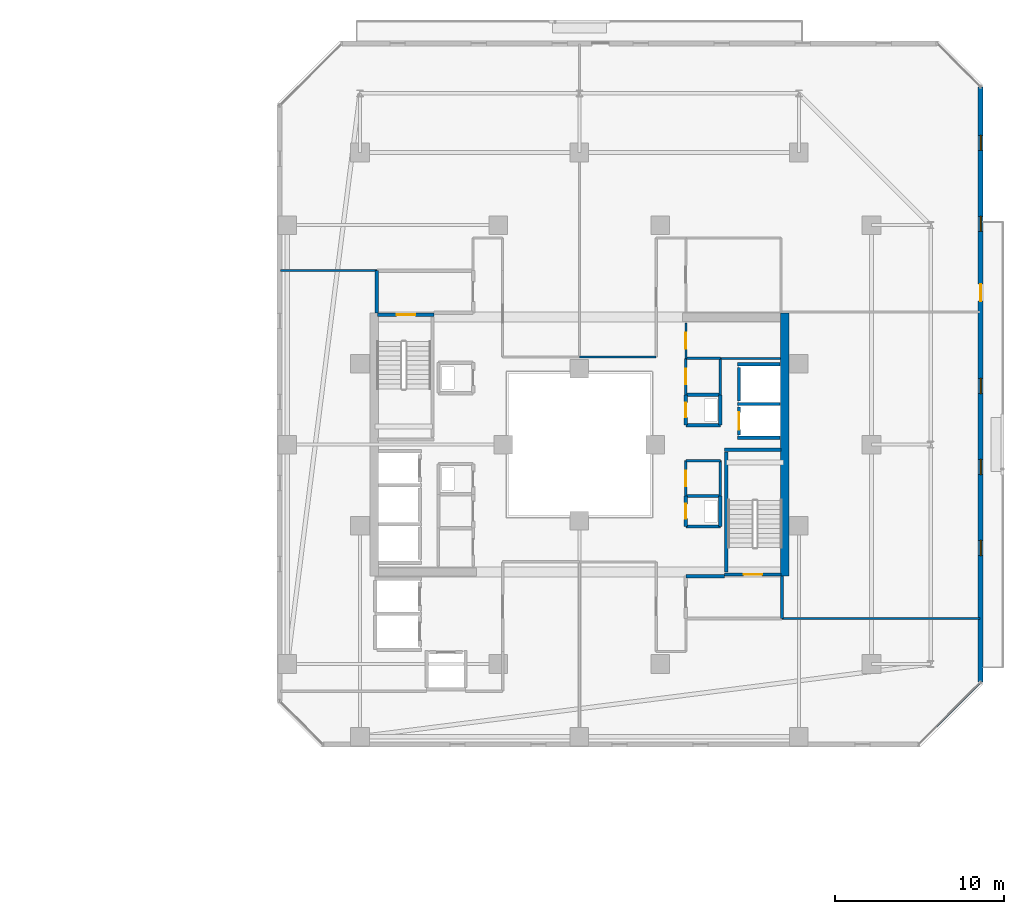
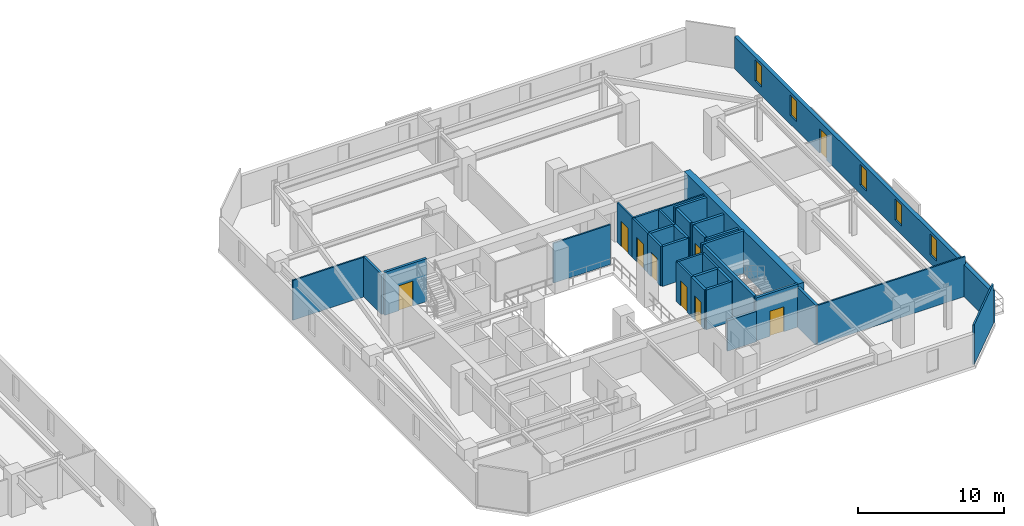
# One storey, part 24 of 32: 34 walls, 9 doors, 5 windows, 14 openings.
"""IFC4 building model written with IfcOpenShell, lengths in metres."""

from ifc_helpers import new_model, si_unit, direction, frame, frame_2d, origin, place, context, subcontext, project, spatial, rectangle, extrude, material, layer, layer_set, type_object, element, fill, save


model = new_model("IFC4")

# Units and contexts
model_context = context("Model", 3, precision=1e-05, world=origin(), true_north=direction((0.0, 1.0)))
body_context = subcontext(model_context, "Body", "Model", "MODEL_VIEW")
ifc_project = project(units=[si_unit("LENGTHUNIT", "METRE"), si_unit("AREAUNIT", "SQUARE_METRE"), si_unit("VOLUMEUNIT", "CUBIC_METRE"), si_unit("PLANEANGLEUNIT", "RADIAN"), si_unit("MASSUNIT", "GRAM", prefix="KILO")], contexts=[model_context])

# Site, building, storey
site_placement = place(None, origin())
site = spatial("IfcSite", under=ifc_project, at=site_placement, CompositionType="ELEMENT")
building_placement = place(site_placement, origin())
building = spatial("IfcBuilding", under=site, at=building_placement, Name="Thornwick Lancets Civic Towers", CompositionType="ELEMENT")
storey_placement = place(building_placement, frame((0.0, 0.0, 156.300048828125)))
storey = spatial("IfcBuildingStorey", under=building, at=storey_placement, Name="L41", CompositionType="ELEMENT", Elevation=156.300048828125)

# Wall, opening, door
ifc_material_1 = material(Name="Concrete blockwork C40/50", Category="masonry")
ifc_layer_1 = layer(ifc_material_1, 0.199951171875, Name="Concrete blockwork C40/50")
ifc_layer_set_1 = layer_set([ifc_layer_1], Name="Concrete blockwork C40/50")
wall_type_1 = type_object("IfcWallType", Name="WALL_COMP_200", PredefinedType="STANDARD", material=ifc_layer_set_1)
wall_1_placement = place(storey_placement, frame((97.949951171875, 29.219970703125, 0.0), z_axis=(0.0, 0.0, 1.0), x_axis=(0.0, -1.0, 0.0)))
wall_1 = element("IfcWall", 1, at=wall_1_placement, inside=storey, type_object=wall_type_1, Name="L41 Hoistway Front Wall FL-B1", PredefinedType="STANDARD", context=body_context, shape_type="SweptSolid", body=[
    extrude(rectangle(XDim=1.639892578125, YDim=0.199951171875, at=frame_2d((0.81982421875, 0.0))), origin(), (0.0, 0.0, 1.0), 3.33984375),
])
opening_1_placement = place(wall_1_placement, frame((0.31005859375, 0.0, 0.0)))
opening_1 = element("IfcOpeningElement", 2, at=opening_1_placement, cuts=wall_1, Name="Opening LD-FL-B1", PredefinedType="OPENING", context=body_context, shape_type="SweptSolid", body=[
    extrude(rectangle(XDim=1.02001953125, YDim=2.06005859375, at=frame_2d((0.510009765625, 1.030029296875))), frame((0.0, 0.10986328125, 0.0), z_axis=(0.0, -1.0, 0.0), x_axis=(1.0, 0.0, 0.0)), (0.0, 0.0, 1.0), 0.219970703125),
])
ifc_material_2 = material(Name="Brushed bronze stainless steel", Category="steel")
door_type_1 = type_object("IfcDoorType", Name="DOOR_LIFT_SLIDE", OperationType="SLIDING_TO_LEFT", PredefinedType="DOOR", material=ifc_material_2)
door_1_placement = place(opening_1_placement, origin())
door_1 = element("IfcDoor", 3, at=door_1_placement, inside=storey, type_object=door_type_1, Name="L41 Sliding Lift Landing Door LD-FL-B1", OperationType="SLIDING_TO_LEFT", OverallHeight=2.06005859375, OverallWidth=1.02001953125, PredefinedType="DOOR", context=body_context, shape_type="SweptSolid", body=[
    extrude(rectangle(XDim=1.02001953125, YDim=2.06005859375, at=frame_2d((0.510009765625, 1.030029296875))), frame((0.0, 0.02490234375, 0.0), z_axis=(0.0, -1.0, 0.0), x_axis=(1.0, 0.0, 0.0)), (0.0, 0.0, 1.0), 0.050048828125),
])
fill(opening_1, door_1)

# Walls
wall_2_placement = place(storey_placement, frame((97.949951171875, 31.570068359375, 0.0), z_axis=(0.0, 0.0, 1.0), x_axis=(0.0, -1.0, 0.0)))
element("IfcWall", 4, at=wall_2_placement, inside=storey, type_object=wall_type_1, Name="L41 Hoistway Front Wall PL-BH1", PredefinedType="STANDARD", context=body_context, shape_type="SweptSolid", body=[
    extrude(rectangle(XDim=1.989990234375, YDim=0.199951171875, at=frame_2d((0.9951171875, 0.0))), origin(), (0.0, 0.0, 1.0), 3.33984375),
])
for number, where, z_axis, x_axis, name in (
    (5, (97.85205078125, 29.39990234375, 0.0), (0.0, 0.0, 1.0), (1.0, 0.0, 0.0), "L41 Hoistway Shaft Wall FL-B1 N"),
    (6, (97.85205078125, 27.39990234375, 0.0), (0.0, 0.0, 1.0), (1.0, 0.0, 0.0), "L41 Hoistway Shaft Wall FL-B1 S"),
    (7, (97.85205078125, 31.75, 0.0), (0.0, 0.0, 1.0), (1.0, 0.0, 0.0), "L41 Hoistway Shaft Wall PL-BH1 N"),
):
    element("IfcWall", number, at=place(storey_placement, frame(where, z_axis=z_axis, x_axis=x_axis)), inside=storey, type_object=wall_type_1, Name=name, PredefinedType="STANDARD", context=body_context, shape_type="SweptSolid", body=[
        extrude(rectangle(XDim=2.535888671875, YDim=0.199951171875, at=frame_2d((1.26806640625, 0.0))), origin(), (0.0, 0.0, 1.0), 3.33984375),
    ])
wall_3_placement = place(storey_placement, frame((100.5, 16.699951171875, 0.0), z_axis=(0.0, 0.0, 1.0), x_axis=(0.0, 1.0, 0.0)))
element("IfcWall", 8, at=wall_3_placement, inside=storey, type_object=wall_type_1, Name="L41 Partition L41-B-FFLOB1 E2", PredefinedType="STANDARD", context=body_context, shape_type="SweptSolid", body=[
    extrude(rectangle(XDim=2.5, YDim=0.199951171875, at=frame_2d((1.25, 0.0))), origin(), (0.0, 0.0, 1.0), 3.33984375),
])
wall_4_placement = place(storey_placement, frame((97.10009765625, 19.199951171875, 0.0), z_axis=(0.0, 0.0, 1.0), x_axis=(-1.0, 0.0, 0.0)))
element("IfcWall", 9, at=wall_4_placement, inside=storey, type_object=wall_type_1, Name="L41 Partition L41-B-FFLOB1 E3", PredefinedType="STANDARD", context=body_context, shape_type="SweptSolid", body=[
    extrude(rectangle(XDim=2.300048828125, YDim=0.199951171875, at=frame_2d((1.14990234375, 0.0))), origin(), (0.0, 0.0, 1.0), 2.544921875),
])
wall_5_placement = place(storey_placement, frame((76.5, 37.300048828125, 0.0), z_axis=(0.0, 0.0, 1.0), x_axis=(0.0, -1.0, 0.0)))
element("IfcWall", 10, at=wall_5_placement, inside=storey, type_object=wall_type_1, Name="L41 Partition L41-B-FFLOB2 E4", PredefinedType="STANDARD", context=body_context, shape_type="SweptSolid", body=[
    extrude(rectangle(XDim=2.5, YDim=0.199951171875, at=frame_2d((1.25, 0.0))), origin(), (0.0, 0.0, 1.0), 3.33984375),
])
wall_6_placement = place(storey_placement, frame((94.800048828125, 28.14990234375, 0.0), z_axis=(0.0, 0.0, 1.0), x_axis=(1.0, 0.0, 0.0)))
element("IfcWall", 11, at=wall_6_placement, inside=storey, type_object=wall_type_1, Name="L41 Partition L41-B-DUCT1 E1", PredefinedType="STANDARD", context=body_context, shape_type="SweptSolid", body=[
    extrude(rectangle(XDim=2.050048828125, YDim=0.199951171875, at=frame_2d((1.02490234375, 0.0))), origin(), (0.0, 0.0, 1.0), 3.33984375),
])
wall_7_placement = place(storey_placement, frame((96.85009765625, 28.14990234375, 0.0), z_axis=(0.0, 0.0, 1.0), x_axis=(0.0, 1.0, 0.0)))
element("IfcWall", 12, at=wall_7_placement, inside=storey, type_object=wall_type_1, Name="L41 Partition L41-B-DUCT1 E2", PredefinedType="STANDARD", context=body_context, shape_type="SweptSolid", body=[
    extrude(rectangle(XDim=1.800048828125, YDim=0.199951171875, at=frame_2d((0.89990234375, 0.0))), origin(), (0.0, 0.0, 1.0), 3.33984375),
])
wall_8_placement = place(storey_placement, frame((96.85009765625, 29.949951171875, 0.0), z_axis=(0.0, 0.0, 1.0), x_axis=(-1.0, 0.0, 0.0)))
element("IfcWall", 13, at=wall_8_placement, inside=storey, type_object=wall_type_1, Name="L41 Partition L41-B-DUCT1 E3", PredefinedType="STANDARD", context=body_context, shape_type="SweptSolid", body=[
    extrude(rectangle(XDim=2.050048828125, YDim=0.199951171875, at=frame_2d((1.02490234375, 0.0))), origin(), (0.0, 0.0, 1.0), 3.33984375),
])

# Wall, opening, door
wall_9_placement = place(storey_placement, frame((94.800048828125, 29.949951171875, 0.0), z_axis=(0.0, 0.0, 1.0), x_axis=(0.0, -1.0, 0.0)))
wall_9 = element("IfcWall", 14, at=wall_9_placement, inside=storey, type_object=wall_type_1, Name="L41 Partition L41-B-DUCT1 E4", PredefinedType="STANDARD", context=body_context, shape_type="SweptSolid", body=[
    extrude(rectangle(XDim=1.800048828125, YDim=0.199951171875, at=frame_2d((0.89990234375, 0.0))), origin(), (0.0, 0.0, 1.0), 3.33984375),
])
opening_2_placement = place(wall_9_placement, frame((0.4599609375, 0.0, 0.0)))
opening_2 = element("IfcOpeningElement", 15, at=opening_2_placement, cuts=wall_9, Name="Opening D-L41-1842", PredefinedType="OPENING", context=body_context, shape_type="SweptSolid", body=[
    extrude(rectangle(XDim=0.8798828125, YDim=2.0400390625, at=frame_2d((0.43994140625, 1.02001953125))), frame((0.0, 0.10986328125, 0.0), z_axis=(0.0, -1.0, 0.0), x_axis=(1.0, 0.0, 0.0)), (0.0, 0.0, 1.0), 0.219970703125),
])
ifc_material_3 = material(Name="Steel riser access doorset", Category="steel")
door_type_2 = type_object("IfcDoorType", Name="DOOR_RISER_850", OperationType="NOTDEFINED", PredefinedType="DOOR", material=ifc_material_3)
door_2_placement = place(opening_2_placement, origin())
door_2 = element("IfcDoor", 16, at=door_2_placement, inside=storey, type_object=door_type_2, Name="L41 East Service Duct 1 Door", OperationType="SINGLE_SWING_LEFT", OverallHeight=2.0400390625, OverallWidth=0.8798828125, PredefinedType="DOOR", context=body_context, shape_type="SweptSolid", body=[
    extrude(rectangle(XDim=0.8798828125, YDim=2.0400390625, at=frame_2d((0.43994140625, 1.02001953125))), frame((0.0, 0.02490234375, 0.0), z_axis=(0.0, -1.0, 0.0), x_axis=(1.0, 0.0, 0.0)), (0.0, 0.0, 1.0), 0.050048828125),
])
fill(opening_2, door_2)

# Walls
wall_10_placement = place(storey_placement, frame((94.800048828125, 22.14990234375, 0.0), z_axis=(0.0, 0.0, 1.0), x_axis=(1.0, 0.0, 0.0)))
element("IfcWall", 17, at=wall_10_placement, inside=storey, type_object=wall_type_1, Name="L41 Partition L41-B-RISER1 E1", PredefinedType="STANDARD", context=body_context, shape_type="SweptSolid", body=[
    extrude(rectangle(XDim=2.050048828125, YDim=0.199951171875, at=frame_2d((1.02490234375, 0.0))), origin(), (0.0, 0.0, 1.0), 3.33984375),
])
wall_11_placement = place(storey_placement, frame((96.85009765625, 22.14990234375, 0.0), z_axis=(0.0, 0.0, 1.0), x_axis=(0.0, 1.0, 0.0)))
element("IfcWall", 18, at=wall_11_placement, inside=storey, type_object=wall_type_1, Name="L41 Partition L41-B-RISER1 E2", PredefinedType="STANDARD", context=body_context, shape_type="SweptSolid", body=[
    extrude(rectangle(XDim=1.800048828125, YDim=0.199951171875, at=frame_2d((0.89990234375, 0.0))), origin(), (0.0, 0.0, 1.0), 3.33984375),
])
wall_12_placement = place(storey_placement, frame((96.85009765625, 23.949951171875, 0.0), z_axis=(0.0, 0.0, 1.0), x_axis=(-1.0, 0.0, 0.0)))
element("IfcWall", 19, at=wall_12_placement, inside=storey, type_object=wall_type_1, Name="L41 Partition L41-B-RISER1 E3", PredefinedType="STANDARD", context=body_context, shape_type="SweptSolid", body=[
    extrude(rectangle(XDim=2.050048828125, YDim=0.199951171875, at=frame_2d((1.02490234375, 0.0))), origin(), (0.0, 0.0, 1.0), 3.33984375),
])

# Wall, opening, door
wall_13_placement = place(storey_placement, frame((94.800048828125, 23.949951171875, 0.0), z_axis=(0.0, 0.0, 1.0), x_axis=(0.0, -1.0, 0.0)))
wall_13 = element("IfcWall", 20, at=wall_13_placement, inside=storey, type_object=wall_type_1, Name="L41 Partition L41-B-RISER1 E4", PredefinedType="STANDARD", context=body_context, shape_type="SweptSolid", body=[
    extrude(rectangle(XDim=1.800048828125, YDim=0.199951171875, at=frame_2d((0.89990234375, 0.0))), origin(), (0.0, 0.0, 1.0), 3.33984375),
])
opening_3_placement = place(wall_13_placement, frame((0.4599609375, 0.0, 0.0)))
opening_3 = element("IfcOpeningElement", 21, at=opening_3_placement, cuts=wall_13, Name="Opening D-L41-1843", PredefinedType="OPENING", context=body_context, shape_type="SweptSolid", body=[
    extrude(rectangle(XDim=0.8798828125, YDim=2.0400390625, at=frame_2d((0.43994140625, 1.02001953125))), frame((0.0, 0.10986328125, 0.0), z_axis=(0.0, -1.0, 0.0), x_axis=(1.0, 0.0, 0.0)), (0.0, 0.0, 1.0), 0.219970703125),
])
door_3_placement = place(opening_3_placement, origin())
door_3 = element("IfcDoor", 22, at=door_3_placement, inside=storey, type_object=door_type_2, Name="L41 East Electrical Riser 1 Door", OperationType="SINGLE_SWING_RIGHT", OverallHeight=2.0400390625, OverallWidth=0.8798828125, PredefinedType="DOOR", context=body_context, shape_type="SweptSolid", body=[
    extrude(rectangle(XDim=0.8798828125, YDim=2.0400390625, at=frame_2d((0.43994140625, 1.02001953125))), frame((0.0, 0.02490234375, 0.0), z_axis=(0.0, -1.0, 0.0), x_axis=(1.0, 0.0, 0.0)), (0.0, 0.0, 1.0), 0.050048828125),
])
fill(opening_3, door_3)

# Wall
ifc_material_4 = material(Name="Concrete C50/60", Category="concrete")
ifc_layer_2 = layer(ifc_material_4, 0.5, Name="Concrete C50/60")
ifc_layer_set_2 = layer_set([ifc_layer_2], Name="Concrete C50/60")
wall_type_2 = type_object("IfcWallType", Name="WALL_CORE_500", PredefinedType="SHEAR", material=ifc_layer_set_2)
wall_14_placement = place(storey_placement, frame((100.64990234375, 19.199951171875, 0.0), z_axis=(0.0, 0.0, 1.0), x_axis=(0.0, 1.0, 0.0)))
element("IfcWall", 23, at=wall_14_placement, inside=storey, type_object=wall_type_2, Name="L41 Split Core B1 Shear Wall E", PredefinedType="SHEAR", context=body_context, shape_type="SweptSolid", body=[
    extrude(rectangle(XDim=15.60009765625, YDim=0.5, at=frame_2d((7.800048828125, 0.0))), origin(), (0.0, 0.0, 1.0), 3.599853515625),
])

# Wall, openings, door, windows
ifc_material_5 = material(Name="Insulated russet terracotta rainscreen on concrete C40/50", Category="masonry")
ifc_layer_3 = layer(ifc_material_5, 0.300048828125, Name="Insulated russet terracotta rainscreen on concrete C40/50")
ifc_layer_set_3 = layer_set([ifc_layer_3], Name="Insulated russet terracotta rainscreen on concrete C40/50")
wall_type_3 = type_object("IfcWallType", Name="WALL_EXT_RUSSET_300", PredefinedType="STANDARD", material=ifc_layer_set_3)
wall_15_placement = place(storey_placement, frame((112.260986328125, 12.92236328125, 0.0), z_axis=(0.0, 0.0, 1.0), x_axis=(0.000103863011, 0.999999994606, 0.0)))
wall_15 = element("IfcWall", 24, at=wall_15_placement, inside=storey, type_object=wall_type_3, Name="L41 Tower B Terracotta Facade Wall E2", PredefinedType="STANDARD", context=body_context, shape_type="SweptSolid", body=[
    extrude(rectangle(XDim=35.259033203125, YDim=0.300048828125, at=frame_2d((17.62939453125, 0.0))), origin(), (0.0, 0.0, 1.0), 2.699951171875),
])
opening_4_placement = place(wall_15_placement, frame((22.57958984375, 0.0, 0.0)))
opening_4 = element("IfcOpeningElement", 25, at=opening_4_placement, cuts=wall_15, Name="Opening D-BL-L41-BE", PredefinedType="OPENING", context=body_context, shape_type="SweptSolid", body=[
    extrude(rectangle(XDim=1.0, YDim=2.080078125, at=frame_2d((0.5, 1.0400390625))), frame((0.0, 0.16015625, 0.0), z_axis=(0.0, -1.0, 0.0), x_axis=(1.0, 0.0, 0.0)), (0.0, 0.0, 1.0), 0.320068359375),
])
opening_5_placement = place(wall_15_placement, frame((7.5, 0.0, 0.719970703125)))
opening_5 = element("IfcOpeningElement", 26, at=opening_5_placement, cuts=wall_15, Name="Opening WL-01", PredefinedType="OPENING", context=body_context, shape_type="SweptSolid", body=[
    extrude(rectangle(XDim=0.89990234375, YDim=1.75, at=frame_2d((0.449951171875, 0.875))), frame((0.0, 0.16015625, 0.0), z_axis=(0.0, -1.0, 0.0), x_axis=(1.0, 0.0, 0.0)), (0.0, 0.0, 1.0), 0.320068359375),
])
opening_6_placement = place(wall_15_placement, frame((12.300048828125, 0.0, 0.719970703125)))
opening_6 = element("IfcOpeningElement", 27, at=opening_6_placement, cuts=wall_15, Name="Opening WL-01", PredefinedType="OPENING", context=body_context, shape_type="SweptSolid", body=[
    extrude(rectangle(XDim=0.89990234375, YDim=1.75, at=frame_2d((0.449951171875, 0.875))), frame((0.0, 0.16015625, 0.0), z_axis=(0.0, -1.0, 0.0), x_axis=(1.0, 0.0, 0.0)), (0.0, 0.0, 1.0), 0.320068359375),
])
opening_7_placement = place(wall_15_placement, frame((17.10009765625, 0.0, 0.719970703125)))
opening_7 = element("IfcOpeningElement", 28, at=opening_7_placement, cuts=wall_15, Name="Opening WL-01", PredefinedType="OPENING", context=body_context, shape_type="SweptSolid", body=[
    extrude(rectangle(XDim=0.89990234375, YDim=1.75, at=frame_2d((0.449951171875, 0.875))), frame((0.0, 0.16015625, 0.0), z_axis=(0.0, -1.0, 0.0), x_axis=(1.0, 0.0, 0.0)), (0.0, 0.0, 1.0), 0.320068359375),
])
opening_8_placement = place(wall_15_placement, frame((26.699951171875, 0.0, 0.719970703125)))
opening_8 = element("IfcOpeningElement", 29, at=opening_8_placement, cuts=wall_15, Name="Opening WL-01", PredefinedType="OPENING", context=body_context, shape_type="SweptSolid", body=[
    extrude(rectangle(XDim=0.89990234375, YDim=1.75, at=frame_2d((0.449951171875, 0.875))), frame((0.0, 0.16015625, 0.0), z_axis=(0.0, -1.0, 0.0), x_axis=(1.0, 0.0, 0.0)), (0.0, 0.0, 1.0), 0.320068359375),
])
opening_9_placement = place(wall_15_placement, frame((31.5, 0.0, 0.719970703125)))
opening_9 = element("IfcOpeningElement", 30, at=opening_9_placement, cuts=wall_15, Name="Opening WL-01", PredefinedType="OPENING", context=body_context, shape_type="SweptSolid", body=[
    extrude(rectangle(XDim=0.89990234375, YDim=1.75, at=frame_2d((0.449951171875, 0.875))), frame((0.0, 0.16015625, 0.0), z_axis=(0.0, -1.0, 0.0), x_axis=(1.0, 0.0, 0.0)), (0.0, 0.0, 1.0), 0.320068359375),
])
ifc_material_6 = material(Name="Thermally broken glazed loggia doorset")
door_type_3 = type_object("IfcDoorType", Name="DOOR_BALC_1000", OperationType="NOTDEFINED", PredefinedType="DOOR", material=ifc_material_6)
door_4_placement = place(opening_4_placement, origin())
door_4 = element("IfcDoor", 31, at=door_4_placement, inside=storey, type_object=door_type_3, Name="L41 Tower B Loggia Balcony Door E", OperationType="SINGLE_SWING_RIGHT", OverallHeight=2.080078125, OverallWidth=1.0, PredefinedType="DOOR", context=body_context, shape_type="SweptSolid", body=[
    extrude(rectangle(XDim=1.0, YDim=2.080078125, at=frame_2d((0.5, 1.0400390625))), frame((0.0, 0.02490234375, 0.0), z_axis=(0.0, -1.0, 0.0), x_axis=(1.0, 0.0, 0.0)), (0.0, 0.0, 1.0), 0.050048828125),
])
fill(opening_4, door_4)
ifc_material_7 = material(Name="Clear low-e double glazing in bronze frame", Category="glass")
window_type = type_object("IfcWindowType", Name="WIN_LANCET_900", PartitioningType="SINGLE_PANEL", PredefinedType="WINDOW", material=ifc_material_7)
window_1_placement = place(opening_5_placement, origin())
window_1 = element("IfcWindow", 32, at=window_1_placement, inside=storey, type_object=window_type, Name="L41 Tower B Staggered Lancet Window E2-1", OverallHeight=1.75, OverallWidth=0.89990234375, PartitioningType="SINGLE_PANEL", PredefinedType="WINDOW", context=body_context, shape_type="SweptSolid", body=[
    extrude(rectangle(XDim=0.89990234375, YDim=1.75, at=frame_2d((0.449951171875, 0.875))), frame((0.0, 0.030029296875, 0.0), z_axis=(0.0, -1.0, 0.0), x_axis=(1.0, 0.0, 0.0)), (0.0, 0.0, 1.0), 0.06005859375),
])
fill(opening_5, window_1)
window_2_placement = place(opening_6_placement, origin())
window_2 = element("IfcWindow", 33, at=window_2_placement, inside=storey, type_object=window_type, Name="L41 Tower B Staggered Lancet Window E2-2", OverallHeight=1.75, OverallWidth=0.89990234375, PartitioningType="SINGLE_PANEL", PredefinedType="WINDOW", context=body_context, shape_type="SweptSolid", body=[
    extrude(rectangle(XDim=0.89990234375, YDim=1.75, at=frame_2d((0.449951171875, 0.875))), frame((0.0, 0.030029296875, 0.0), z_axis=(0.0, -1.0, 0.0), x_axis=(1.0, 0.0, 0.0)), (0.0, 0.0, 1.0), 0.06005859375),
])
fill(opening_6, window_2)
window_3_placement = place(opening_7_placement, origin())
window_3 = element("IfcWindow", 34, at=window_3_placement, inside=storey, type_object=window_type, Name="L41 Tower B Staggered Lancet Window E2-3", OverallHeight=1.75, OverallWidth=0.89990234375, PartitioningType="SINGLE_PANEL", PredefinedType="WINDOW", context=body_context, shape_type="SweptSolid", body=[
    extrude(rectangle(XDim=0.89990234375, YDim=1.75, at=frame_2d((0.449951171875, 0.875))), frame((0.0, 0.030029296875, 0.0), z_axis=(0.0, -1.0, 0.0), x_axis=(1.0, 0.0, 0.0)), (0.0, 0.0, 1.0), 0.06005859375),
])
fill(opening_7, window_3)
window_4_placement = place(opening_8_placement, origin())
window_4 = element("IfcWindow", 35, at=window_4_placement, inside=storey, type_object=window_type, Name="L41 Tower B Staggered Lancet Window E2-4", OverallHeight=1.75, OverallWidth=0.89990234375, PartitioningType="SINGLE_PANEL", PredefinedType="WINDOW", context=body_context, shape_type="SweptSolid", body=[
    extrude(rectangle(XDim=0.89990234375, YDim=1.75, at=frame_2d((0.449951171875, 0.875))), frame((0.0, 0.030029296875, 0.0), z_axis=(0.0, -1.0, 0.0), x_axis=(1.0, 0.0, 0.0)), (0.0, 0.0, 1.0), 0.06005859375),
])
fill(opening_8, window_4)
window_5_placement = place(opening_9_placement, origin())
window_5 = element("IfcWindow", 36, at=window_5_placement, inside=storey, type_object=window_type, Name="L41 Tower B Staggered Lancet Window E2-5", OverallHeight=1.75, OverallWidth=0.89990234375, PartitioningType="SINGLE_PANEL", PredefinedType="WINDOW", context=body_context, shape_type="SweptSolid", body=[
    extrude(rectangle(XDim=0.89990234375, YDim=1.75, at=frame_2d((0.449951171875, 0.875))), frame((0.0, 0.030029296875, 0.0), z_axis=(0.0, -1.0, 0.0), x_axis=(1.0, 0.0, 0.0)), (0.0, 0.0, 1.0), 0.06005859375),
])
fill(opening_9, window_5)

# Wall, opening, door
ifc_material_8 = material(Name="Acoustic gypsum board partition")
ifc_layer_4 = layer(ifc_material_8, 0.1201171875, Name="Acoustic gypsum board partition")
ifc_layer_set_4 = layer_set([ifc_layer_4], Name="Acoustic gypsum board partition")
wall_type_4 = type_object("IfcWallType", Name="WALL_PART_120", PredefinedType="PARTITIONING", material=ifc_layer_set_4)
wall_16_placement = place(storey_placement, frame((94.800048828125, 32.10009765625, 0.0), z_axis=(0.0, 0.0, 1.0), x_axis=(0.0, 1.0, 0.0)))
wall_16 = element("IfcWall", 37, at=wall_16_placement, inside=storey, type_object=wall_type_4, Name="L41 Partition L41-B-ITR E1", PredefinedType="PARTITIONING", context=body_context, shape_type="SweptSolid", body=[
    extrude(rectangle(XDim=2.099853515625, YDim=0.1201171875, at=frame_2d((1.0498046875, 0.0))), origin(), (0.0, 0.0, 1.0), 3.33984375),
])
opening_10_placement = place(wall_16_placement, frame((0.574951171875, 0.0, 0.0)))
opening_10 = element("IfcOpeningElement", 38, at=opening_10_placement, cuts=wall_16, Name="Opening D-L41-1848", PredefinedType="OPENING", context=body_context, shape_type="SweptSolid", body=[
    extrude(rectangle(XDim=0.949951171875, YDim=2.10009765625, at=frame_2d((0.47509765625, 1.050048828125))), frame((0.0, 0.070068359375, 0.0), z_axis=(0.0, -1.0, 0.0), x_axis=(1.0, 0.0, 0.0)), (0.0, 0.0, 1.0), 0.14013671875),
])
ifc_material_9 = material(Name="European oak acoustic doorset")
door_type_4 = type_object("IfcDoorType", Name="DOOR_OFFICE_950", OperationType="NOTDEFINED", PredefinedType="DOOR", material=ifc_material_9)
door_5_placement = place(opening_10_placement, origin())
door_5 = element("IfcDoor", 39, at=door_5_placement, inside=storey, type_object=door_type_4, Name="L41 Tower B Comms Patch Room Door", OperationType="SINGLE_SWING_LEFT", OverallHeight=2.10009765625, OverallWidth=0.949951171875, PredefinedType="DOOR", context=body_context, shape_type="SweptSolid", body=[
    extrude(rectangle(XDim=0.949951171875, YDim=2.10009765625, at=frame_2d((0.47509765625, 1.050048828125))), frame((0.0, 0.02490234375, 0.0), z_axis=(0.0, -1.0, 0.0), x_axis=(1.0, 0.0, 0.0)), (0.0, 0.0, 1.0), 0.050048828125),
])
fill(opening_10, door_5)

# Walls
wall_17_placement = place(storey_placement, frame((100.39990234375, 32.10009765625, 0.0), z_axis=(0.0, 0.0, 1.0), x_axis=(-1.0, 0.0, 0.0)))
element("IfcWall", 40, at=wall_17_placement, inside=storey, type_object=wall_type_4, Name="L41 Partition L41-B-ITR E4", PredefinedType="PARTITIONING", context=body_context, shape_type="SweptSolid", body=[
    extrude(rectangle(XDim=3.5498046875, YDim=0.1201171875, at=frame_2d((1.77490234375, 0.0))), origin(), (0.0, 0.0, 1.0), 3.33984375),
])
wall_18_placement = place(storey_placement, frame((100.5, 16.699951171875, 0.0), z_axis=(0.0, 0.0, 1.0), x_axis=(1.0, 0.0, 0.0)))
element("IfcWall", 41, at=wall_18_placement, inside=storey, type_object=wall_type_4, Name="L41 Partition L41-B-W1 E8", PredefinedType="PARTITIONING", context=body_context, shape_type="SweptSolid", body=[
    extrude(rectangle(XDim=11.719970703125, YDim=0.1201171875, at=frame_2d((5.85986328125, 0.0))), origin(), (0.0, 0.0, 1.0), 3.33984375),
])
wall_19_placement = place(storey_placement, frame((112.219970703125, 12.882568359375, 0.0), z_axis=(0.0, 0.0, 1.0), x_axis=(-0.707106781187, -0.707106781187, 0.0)))
element("IfcWall", 42, at=wall_19_placement, inside=storey, type_object=wall_type_4, Name="L41 Partition L41-B-W1 E10", PredefinedType="PARTITIONING", context=body_context, shape_type="SweptSolid", body=[
    extrude(rectangle(XDim=5.0947265625, YDim=0.1201171875, at=frame_2d((2.54736328125, 0.0))), origin(), (0.0, 0.0, 1.0), 3.33984375),
])
wall_20_placement = place(storey_placement, frame((93.050048828125, 32.199951171875, 0.0), z_axis=(0.0, 0.0, 1.0), x_axis=(-1.0, 0.0, 0.0)))
element("IfcWall", 43, at=wall_20_placement, inside=storey, type_object=wall_type_4, Name="L41 Partition L41-B-E1 E5", PredefinedType="PARTITIONING", context=body_context, shape_type="SweptSolid", body=[
    extrude(rectangle(XDim=4.550048828125, YDim=0.1201171875, at=frame_2d((2.27490234375, 0.0))), origin(), (0.0, 0.0, 1.0), 3.33984375),
])
wall_21_placement = place(storey_placement, frame((76.5, 37.300048828125, 0.0), z_axis=(0.0, 0.0, 1.0), x_axis=(-1.0, 0.0, 0.0)))
element("IfcWall", 44, at=wall_21_placement, inside=storey, type_object=wall_type_4, Name="L41 Partition L41-B-E3 E6", PredefinedType="PARTITIONING", context=body_context, shape_type="SweptSolid", body=[
    extrude(rectangle(XDim=5.719970703125, YDim=0.1201171875, at=frame_2d((2.85986328125, 0.0))), origin(), (0.0, 0.0, 1.0), 3.33984375),
])

# Wall, opening, door
ifc_material_10 = material(Name="Twin-stud acoustic gypsum board")
ifc_layer_5 = layer(ifc_material_10, 0.14990234375, Name="Twin-stud acoustic gypsum board")
ifc_layer_set_5 = layer_set([ifc_layer_5], Name="Twin-stud acoustic gypsum board")
wall_type_5 = type_object("IfcWallType", Name="WALL_PART_150", PredefinedType="PARTITIONING", material=ifc_layer_set_5)
wall_22_placement = place(storey_placement, frame((94.800048828125, 23.949951171875, 0.0), z_axis=(0.0, 0.0, 1.0), x_axis=(0.0, 1.0, 0.0)))
wall_22 = element("IfcWall", 45, at=wall_22_placement, inside=storey, type_object=wall_type_5, Name="L41 Partition L41-B-MWC E1", PredefinedType="PARTITIONING", context=body_context, shape_type="SweptSolid", body=[
    extrude(rectangle(XDim=2.10009765625, YDim=0.14990234375, at=frame_2d((1.050048828125, 0.0))), origin(), (0.0, 0.0, 1.0), 3.33984375),
])
opening_11_placement = place(wall_22_placement, frame((0.590087890625, 0.0, 0.0)))
opening_11 = element("IfcOpeningElement", 46, at=opening_11_placement, cuts=wall_22, Name="Opening D-L41-1846", PredefinedType="OPENING", context=body_context, shape_type="SweptSolid", body=[
    extrude(rectangle(XDim=0.919921875, YDim=2.080078125, at=frame_2d((0.4599609375, 1.0400390625))), frame((0.0, 0.0849609375, 0.0), z_axis=(0.0, -1.0, 0.0), x_axis=(1.0, 0.0, 0.0)), (0.0, 0.0, 1.0), 0.169921875),
])
ifc_material_11 = material(Name="Moisture-resistant oak doorset")
door_type_5 = type_object("IfcDoorType", Name="DOOR_WC_900", OperationType="NOTDEFINED", PredefinedType="DOOR", material=ifc_material_11)
door_6_placement = place(opening_11_placement, origin())
door_6 = element("IfcDoor", 47, at=door_6_placement, inside=storey, type_object=door_type_5, Name="L41 Tower B Male WC Door", OperationType="SINGLE_SWING_LEFT", OverallHeight=2.080078125, OverallWidth=0.919921875, PredefinedType="DOOR", context=body_context, shape_type="SweptSolid", body=[
    extrude(rectangle(XDim=0.919921875, YDim=2.080078125, at=frame_2d((0.4599609375, 1.0400390625))), frame((0.0, 0.02490234375, 0.0), z_axis=(0.0, -1.0, 0.0), x_axis=(1.0, 0.0, 0.0)), (0.0, 0.0, 1.0), 0.050048828125),
])
fill(opening_11, door_6)

# Walls
wall_23_placement = place(storey_placement, frame((94.800048828125, 26.050048828125, 0.0), z_axis=(0.0, 0.0, 1.0), x_axis=(1.0, 0.0, 0.0)))
element("IfcWall", 48, at=wall_23_placement, inside=storey, type_object=wall_type_5, Name="L41 Partition L41-B-MWC E2", PredefinedType="PARTITIONING", context=body_context, shape_type="SweptSolid", body=[
    extrude(rectangle(XDim=2.050048828125, YDim=0.14990234375, at=frame_2d((1.02490234375, 0.0))), origin(), (0.0, 0.0, 1.0), 3.33984375),
])
wall_24_placement = place(storey_placement, frame((96.85009765625, 26.050048828125, 0.0), z_axis=(0.0, 0.0, 1.0), x_axis=(0.0, -1.0, 0.0)))
element("IfcWall", 49, at=wall_24_placement, inside=storey, type_object=wall_type_5, Name="L41 Partition L41-B-MWC E3", PredefinedType="PARTITIONING", context=body_context, shape_type="SweptSolid", body=[
    extrude(rectangle(XDim=2.10009765625, YDim=0.14990234375, at=frame_2d((1.050048828125, 0.0))), origin(), (0.0, 0.0, 1.0), 3.33984375),
])

# Wall, opening, door
wall_25_placement = place(storey_placement, frame((94.800048828125, 29.949951171875, 0.0), z_axis=(0.0, 0.0, 1.0), x_axis=(0.0, 1.0, 0.0)))
wall_25 = element("IfcWall", 50, at=wall_25_placement, inside=storey, type_object=wall_type_5, Name="L41 Partition L41-B-FWC E1", PredefinedType="PARTITIONING", context=body_context, shape_type="SweptSolid", body=[
    extrude(rectangle(XDim=2.150146484375, YDim=0.14990234375, at=frame_2d((1.0751953125, 0.0))), origin(), (0.0, 0.0, 1.0), 3.33984375),
])
opening_12_placement = place(wall_25_placement, frame((0.614990234375, 0.0, 0.0)))
opening_12 = element("IfcOpeningElement", 51, at=opening_12_placement, cuts=wall_25, Name="Opening D-L41-1847", PredefinedType="OPENING", context=body_context, shape_type="SweptSolid", body=[
    extrude(rectangle(XDim=0.919921875, YDim=2.080078125, at=frame_2d((0.4599609375, 1.0400390625))), frame((0.0, 0.0849609375, 0.0), z_axis=(0.0, -1.0, 0.0), x_axis=(1.0, 0.0, 0.0)), (0.0, 0.0, 1.0), 0.169921875),
])
door_7_placement = place(opening_12_placement, origin())
door_7 = element("IfcDoor", 52, at=door_7_placement, inside=storey, type_object=door_type_5, Name="L41 Tower B Female WC Door", OperationType="SINGLE_SWING_RIGHT", OverallHeight=2.080078125, OverallWidth=0.919921875, PredefinedType="DOOR", context=body_context, shape_type="SweptSolid", body=[
    extrude(rectangle(XDim=0.919921875, YDim=2.080078125, at=frame_2d((0.4599609375, 1.0400390625))), frame((0.0, 0.02490234375, 0.0), z_axis=(0.0, -1.0, 0.0), x_axis=(1.0, 0.0, 0.0)), (0.0, 0.0, 1.0), 0.050048828125),
])
fill(opening_12, door_7)

# Walls
wall_26_placement = place(storey_placement, frame((94.800048828125, 32.10009765625, 0.0), z_axis=(0.0, 0.0, 1.0), x_axis=(1.0, 0.0, 0.0)))
element("IfcWall", 53, at=wall_26_placement, inside=storey, type_object=wall_type_5, Name="L41 Partition L41-B-FWC E2", PredefinedType="PARTITIONING", context=body_context, shape_type="SweptSolid", body=[
    extrude(rectangle(XDim=2.050048828125, YDim=0.14990234375, at=frame_2d((1.02490234375, 0.0))), origin(), (0.0, 0.0, 1.0), 3.33984375),
])
wall_27_placement = place(storey_placement, frame((96.85009765625, 32.10009765625, 0.0), z_axis=(0.0, 0.0, 1.0), x_axis=(0.0, -1.0, 0.0)))
element("IfcWall", 54, at=wall_27_placement, inside=storey, type_object=wall_type_5, Name="L41 Partition L41-B-FWC E3", PredefinedType="PARTITIONING", context=body_context, shape_type="SweptSolid", body=[
    extrude(rectangle(XDim=2.150146484375, YDim=0.14990234375, at=frame_2d((1.0751953125, 0.0))), origin(), (0.0, 0.0, 1.0), 3.33984375),
])

# Wall, opening, door
ifc_material_12 = material(Name="Concrete C40/50", Category="concrete")
ifc_layer_6 = layer(ifc_material_12, 0.199951171875, Name="Concrete C40/50")
ifc_layer_set_6 = layer_set([ifc_layer_6], Name="Concrete C40/50")
wall_type_6 = type_object("IfcWallType", Name="WALL_SHAFT_200", PredefinedType="SHEAR", material=ifc_layer_set_6)
wall_28_placement = place(storey_placement, frame((100.449951171875, 19.300048828125, 0.0), z_axis=(0.0, 0.0, 1.0), x_axis=(-1.0, 0.0, 0.0)))
wall_28 = element("IfcWall", 55, at=wall_28_placement, inside=storey, type_object=wall_type_6, Name="L41 ST-B1 Fire Stair Core Wall NEAR", PredefinedType="SHEAR", context=body_context, shape_type="SweptSolid", body=[
    extrude(rectangle(XDim=3.349853515625, YDim=0.199951171875, at=frame_2d((1.6748046875, 0.0))), origin(), (0.0, 0.0, 1.0), 3.599853515625),
])
opening_13_placement = place(wall_28_placement, frame((1.125, 0.0, 0.0)))
opening_13 = element("IfcOpeningElement", 56, at=opening_13_placement, cuts=wall_28, Name="Opening D-ST-B1-L41", PredefinedType="OPENING", context=body_context, shape_type="SweptSolid", body=[
    extrude(rectangle(XDim=1.10009765625, YDim=2.10009765625, at=frame_2d((0.550048828125, 1.050048828125))), frame((0.0, 0.10986328125, 0.0), z_axis=(0.0, -1.0, 0.0), x_axis=(1.0, 0.0, 0.0)), (0.0, 0.0, 1.0), 0.219970703125),
])
ifc_material_13 = material(Name="Fire-resisting steel and hardwood", Category="steel")
door_type_6 = type_object("IfcDoorType", Name="DOOR_STAIR_FD60", OperationType="NOTDEFINED", PredefinedType="DOOR", material=ifc_material_13)
door_8_placement = place(opening_13_placement, origin())
door_8 = element("IfcDoor", 57, at=door_8_placement, inside=storey, type_object=door_type_6, Name="L41 ST-B1 Exit Stair Door", OperationType="SINGLE_SWING_RIGHT", OverallHeight=2.10009765625, OverallWidth=1.10009765625, PredefinedType="DOOR", context=body_context, shape_type="SweptSolid", body=[
    extrude(rectangle(XDim=1.10009765625, YDim=2.10009765625, at=frame_2d((0.550048828125, 1.050048828125))), frame((0.0, 0.02490234375, 0.0), z_axis=(0.0, -1.0, 0.0), x_axis=(1.0, 0.0, 0.0)), (0.0, 0.0, 1.0), 0.050048828125),
])
fill(opening_13, door_8)

# Walls
wall_29_placement = place(storey_placement, frame((97.10009765625, 26.699951171875, 0.0), z_axis=(0.0, 0.0, 1.0), x_axis=(1.0, 0.0, 0.0)))
element("IfcWall", 58, at=wall_29_placement, inside=storey, type_object=wall_type_6, Name="L41 ST-B1 Fire Stair Core Wall FAR", PredefinedType="SHEAR", context=body_context, shape_type="SweptSolid", body=[
    extrude(rectangle(XDim=3.349853515625, YDim=0.199951171875, at=frame_2d((1.6748046875, 0.0))), origin(), (0.0, 0.0, 1.0), 3.599853515625),
])
wall_30_placement = place(storey_placement, frame((97.202880859375, 26.550048828125, 0.0), z_axis=(0.0, 0.0, 1.0), x_axis=(0.0, -1.0, 0.0)))
element("IfcWall", 59, at=wall_30_placement, inside=storey, type_object=wall_type_6, Name="L41 ST-B1 Fire Stair Core Wall RIGHT", PredefinedType="SHEAR", context=body_context, shape_type="SweptSolid", body=[
    extrude(rectangle(XDim=7.10009765625, YDim=0.199951171875, at=frame_2d((3.550048828125, 0.0))), origin(), (0.0, 0.0, 1.0), 3.599853515625),
])

# Wall, opening, door
wall_31_placement = place(storey_placement, frame((76.550048828125, 34.699951171875, 0.0), z_axis=(0.0, 0.0, 1.0), x_axis=(1.0, 0.0, 0.0)))
wall_31 = element("IfcWall", 60, at=wall_31_placement, inside=storey, type_object=wall_type_6, Name="L41 ST-B2 Fire Stair Core Wall NEAR", PredefinedType="SHEAR", context=body_context, shape_type="SweptSolid", body=[
    extrude(rectangle(XDim=3.349853515625, YDim=0.199951171875, at=frame_2d((1.6748046875, 0.0))), origin(), (0.0, 0.0, 1.0), 3.599853515625),
])
opening_14_placement = place(wall_31_placement, frame((1.125, 0.0, 0.0)))
opening_14 = element("IfcOpeningElement", 61, at=opening_14_placement, cuts=wall_31, Name="Opening D-ST-B2-L41", PredefinedType="OPENING", context=body_context, shape_type="SweptSolid", body=[
    extrude(rectangle(XDim=1.10009765625, YDim=2.10009765625, at=frame_2d((0.550048828125, 1.050048828125))), frame((0.0, 0.10986328125, 0.0), z_axis=(0.0, -1.0, 0.0), x_axis=(1.0, 0.0, 0.0)), (0.0, 0.0, 1.0), 0.219970703125),
])
door_9_placement = place(opening_14_placement, origin())
door_9 = element("IfcDoor", 62, at=door_9_placement, inside=storey, type_object=door_type_6, Name="L41 ST-B2 Exit Stair Door", OperationType="SINGLE_SWING_LEFT", OverallHeight=2.10009765625, OverallWidth=1.10009765625, PredefinedType="DOOR", context=body_context, shape_type="SweptSolid", body=[
    extrude(rectangle(XDim=1.10009765625, YDim=2.10009765625, at=frame_2d((0.550048828125, 1.050048828125))), frame((0.0, 0.02490234375, 0.0), z_axis=(0.0, -1.0, 0.0), x_axis=(1.0, 0.0, 0.0)), (0.0, 0.0, 1.0), 0.050048828125),
])
fill(opening_14, door_9)

save(model, "model.ifc")
